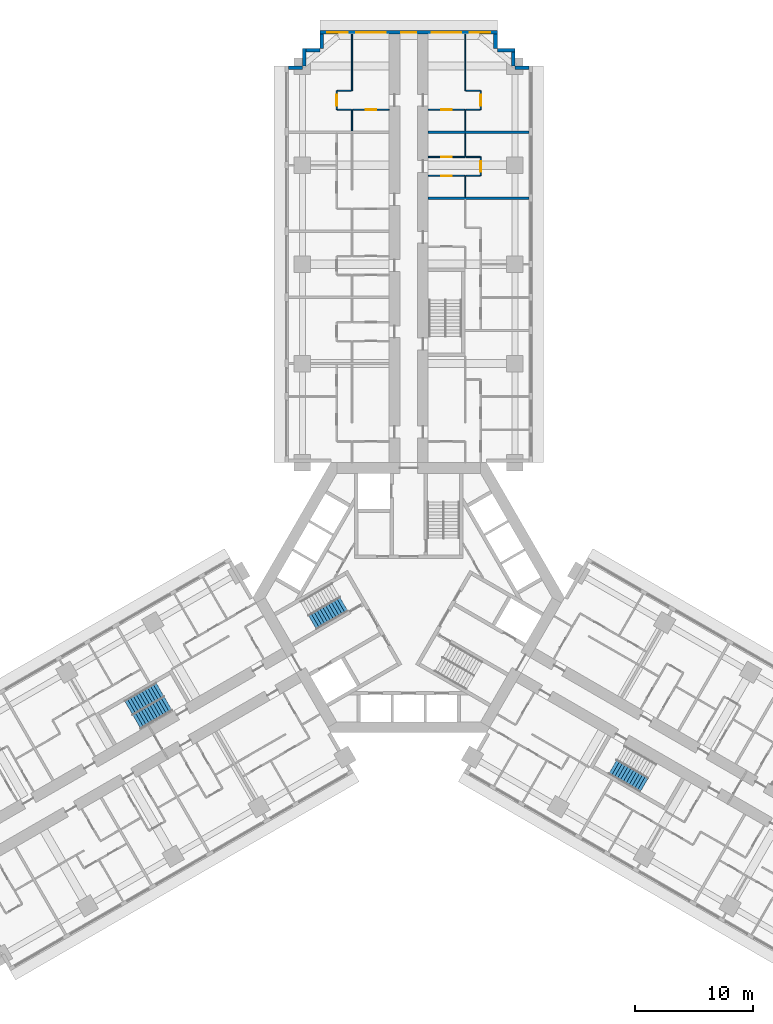
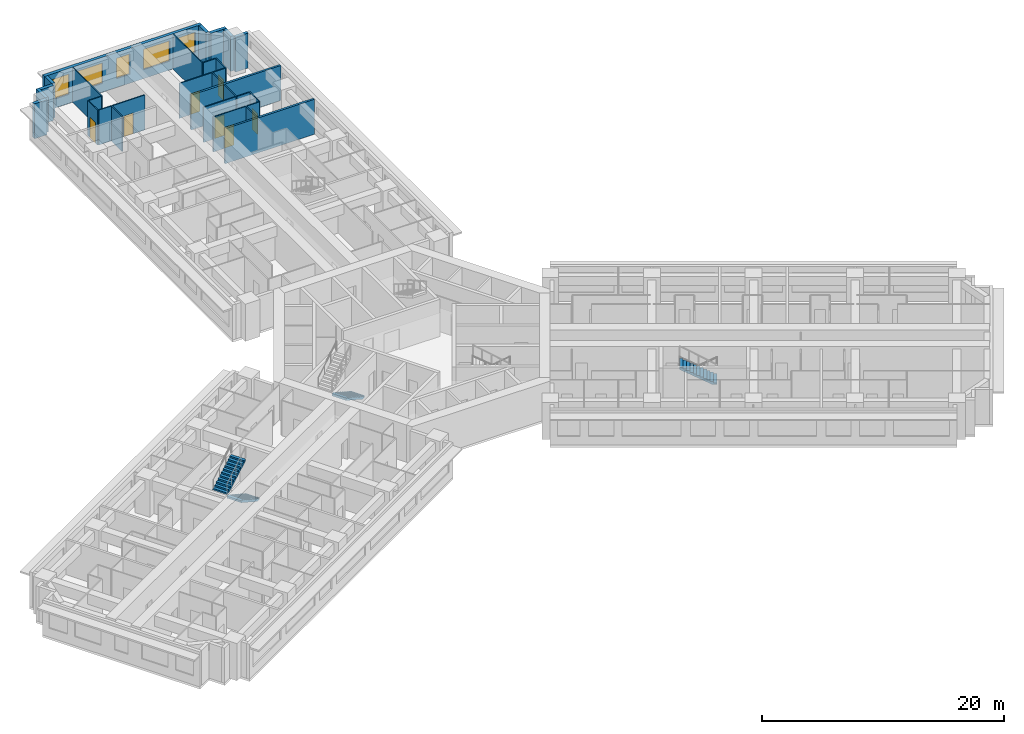
# One storey, part 14 of 16: 30 walls, 7 doors, 5 windows, 4 stair flights, 12 openings, 3 elements without a shape of their own.
"""IFC4 building model written with IfcOpenShell, lengths in metres."""

from ifc_helpers import new_model, si_unit, direction, frame, frame_2d, origin, place, context, subcontext, project, spatial, polyline, rectangle, outline, extrude, material, layer, layer_set, type_object, element, fill, aggregate, save


model = new_model("IFC4")

# Units and contexts
model_context = context("Model", 3, precision=1e-05, world=origin(), true_north=direction((0.0, 1.0)))
body_context = subcontext(model_context, "Body", "Model", "MODEL_VIEW")
ifc_project = project(units=[si_unit("LENGTHUNIT", "METRE"), si_unit("AREAUNIT", "SQUARE_METRE"), si_unit("VOLUMEUNIT", "CUBIC_METRE"), si_unit("PLANEANGLEUNIT", "RADIAN"), si_unit("MASSUNIT", "GRAM", prefix="KILO")], contexts=[model_context])

# Site, building, storey
site_placement = place(None, origin())
site = spatial("IfcSite", under=ifc_project, at=site_placement, CompositionType="ELEMENT")
building_placement = place(site_placement, origin())
building = spatial("IfcBuilding", under=site, at=building_placement, Name="Impinga Residences", CompositionType="ELEMENT")
storey_placement = place(building_placement, frame((0.0, 0.0, 59.75)))
storey = spatial("IfcBuildingStorey", under=building, at=storey_placement, Name="L14", CompositionType="ELEMENT", Elevation=59.75)

# Walls
ifc_material_1 = material(Name="Terracotta rainscreen on blockwork", Category="masonry")
ifc_layer_1 = layer(ifc_material_1, 0.300048828125)
ifc_layer_set_1 = layer_set([ifc_layer_1], Name="EW1 external wall, terracotta rainscreen on blockwork 300")
wall_type_1 = type_object("IfcWallType", Name="EW1 external wall, terracotta rainscreen on blockwork 300", PredefinedType="SOLIDWALL", material=ifc_layer_set_1)
wall_1_placement = place(storey_placement, frame((-10.199951171875, 44.881591796875, 0.0), z_axis=(0.0, 0.0, 1.0), x_axis=(1.0, 0.0, 0.0)))
element("IfcWall", 1, at=wall_1_placement, inside=storey, type_object=wall_type_1, Name="External wall EW1 L14", PredefinedType="SOLIDWALL", context=body_context, shape_type="SweptSolid", body=[
    extrude(rectangle(XDim=1.199951171875, YDim=0.300048828125, at=frame_2d((0.60009765625, 0.0))), origin(), (0.0, 0.0, 1.0), 3.530029296875),
])
wall_2_placement = place(storey_placement, frame((-8.85009765625, 45.03662109375, 0.0), z_axis=(0.0, 0.0, 1.0), x_axis=(0.0, 1.0, 0.0)))
element("IfcWall", 2, at=wall_2_placement, inside=storey, type_object=wall_type_1, Name="External wall EW1 L14", PredefinedType="SOLIDWALL", context=body_context, shape_type="SweptSolid", body=[
    extrude(rectangle(XDim=1.494873046875, YDim=0.300048828125, at=frame_2d((0.74755859375, 0.0))), origin(), (0.0, 0.0, 1.0), 3.530029296875),
])
wall_3_placement = place(storey_placement, frame((-8.699951171875, 46.381591796875, 0.0), z_axis=(0.0, 0.0, 1.0), x_axis=(1.0, 0.0, 0.0)))
element("IfcWall", 3, at=wall_3_placement, inside=storey, type_object=wall_type_1, Name="External wall EW1 L14", PredefinedType="SOLIDWALL", context=body_context, shape_type="SweptSolid", body=[
    extrude(rectangle(XDim=1.199951171875, YDim=0.300048828125, at=frame_2d((0.60009765625, 0.0))), origin(), (0.0, 0.0, 1.0), 3.530029296875),
])
wall_4_placement = place(storey_placement, frame((-7.35009765625, 46.53662109375, 0.0), z_axis=(0.0, 0.0, 1.0), x_axis=(0.0, 1.0, 0.0)))
element("IfcWall", 4, at=wall_4_placement, inside=storey, type_object=wall_type_1, Name="External wall EW1 L14", PredefinedType="SOLIDWALL", context=body_context, shape_type="SweptSolid", body=[
    extrude(rectangle(XDim=1.19482421875, YDim=0.300048828125, at=frame_2d((0.597412109375, 0.0))), origin(), (0.0, 0.0, 1.0), 3.530029296875),
])

# Wall, openings, windows
wall_5_placement = place(storey_placement, frame((-7.5, 47.881591796875, 0.0), z_axis=(0.0, 0.0, 1.0), x_axis=(1.0, 0.0, 0.0)))
wall_5 = element("IfcWall", 5, at=wall_5_placement, inside=storey, type_object=wall_type_1, Name="External wall EW1 L14", PredefinedType="SOLIDWALL", context=body_context, shape_type="SweptSolid", body=[
    extrude(rectangle(XDim=15.0, YDim=0.300048828125, at=frame_2d((7.5, 0.0))), origin(), (0.0, 0.0, 1.0), 3.530029296875),
])
opening_1_placement = place(wall_5_placement, frame((0.60009765625, 0.0, 0.89990234375)))
opening_1 = element("IfcOpeningElement", 6, at=opening_1_placement, cuts=wall_5, Name="Opening W1", PredefinedType="OPENING", context=body_context, shape_type="SweptSolid", body=[
    extrude(rectangle(XDim=1.75, YDim=2.050048828125, at=frame_2d((0.875, 1.02490234375))), frame((0.0, 0.159912109375, 0.0), z_axis=(0.0, -1.0, 0.0), x_axis=(1.0, 0.0, 0.0)), (0.0, 0.0, 1.0), 0.320068359375),
])
opening_2_placement = place(wall_5_placement, frame((3.050048828125, 0.0, 0.89990234375)))
opening_2 = element("IfcOpeningElement", 7, at=opening_2_placement, cuts=wall_5, Name="Opening W2", PredefinedType="OPENING", context=body_context, shape_type="SweptSolid", body=[
    extrude(rectangle(XDim=2.5, YDim=2.050048828125, at=frame_2d((1.25, 1.02490234375))), frame((0.0, 0.159912109375, 0.0), z_axis=(0.0, -1.0, 0.0), x_axis=(1.0, 0.0, 0.0)), (0.0, 0.0, 1.0), 0.320068359375),
])
opening_3_placement = place(wall_5_placement, frame((6.85009765625, 0.0, 0.89990234375)))
opening_3 = element("IfcOpeningElement", 8, at=opening_3_placement, cuts=wall_5, Name="Opening WE1", PredefinedType="OPENING", context=body_context, shape_type="SweptSolid", body=[
    extrude(rectangle(XDim=1.300048828125, YDim=2.050048828125, at=frame_2d((0.64990234375, 1.02490234375))), frame((0.0, 0.159912109375, 0.0), z_axis=(0.0, -1.0, 0.0), x_axis=(1.0, 0.0, 0.0)), (0.0, 0.0, 1.0), 0.320068359375),
])
opening_4_placement = place(wall_5_placement, frame((9.449951171875, 0.0, 0.89990234375)))
opening_4 = element("IfcOpeningElement", 9, at=opening_4_placement, cuts=wall_5, Name="Opening W2", PredefinedType="OPENING", context=body_context, shape_type="SweptSolid", body=[
    extrude(rectangle(XDim=2.5, YDim=2.050048828125, at=frame_2d((1.25, 1.02490234375))), frame((0.0, 0.159912109375, 0.0), z_axis=(0.0, -1.0, 0.0), x_axis=(1.0, 0.0, 0.0)), (0.0, 0.0, 1.0), 0.320068359375),
])
opening_5_placement = place(wall_5_placement, frame((12.64990234375, 0.0, 0.89990234375)))
opening_5 = element("IfcOpeningElement", 10, at=opening_5_placement, cuts=wall_5, Name="Opening W1", PredefinedType="OPENING", context=body_context, shape_type="SweptSolid", body=[
    extrude(rectangle(XDim=1.75, YDim=2.050048828125, at=frame_2d((0.875, 1.02490234375))), frame((0.0, 0.159912109375, 0.0), z_axis=(0.0, -1.0, 0.0), x_axis=(1.0, 0.0, 0.0)), (0.0, 0.0, 1.0), 0.320068359375),
])
ifc_material_2 = material(Name="Aluminium window, clear double glazing", Category="aluminium")
window_type_1 = type_object("IfcWindowType", Name="W1 ribbon window 1750x2050", PartitioningType="SINGLE_PANEL", PredefinedType="WINDOW", material=ifc_material_2)
window_1_placement = place(opening_1_placement, origin())
window_1 = element("IfcWindow", 11, at=window_1_placement, inside=storey, type_object=window_type_1, Name="Window L14", OverallHeight=2.050048828125, OverallWidth=1.75, PartitioningType="SINGLE_PANEL", PredefinedType="WINDOW", context=body_context, shape_type="SweptSolid", body=[
    extrude(rectangle(XDim=1.75, YDim=2.050048828125, at=frame_2d((0.875, 1.02490234375))), frame((0.0, 0.030029296875, 0.0), z_axis=(0.0, -1.0, 0.0), x_axis=(1.0, 0.0, 0.0)), (0.0, 0.0, 1.0), 0.06005859375),
])
fill(opening_1, window_1)
window_2_placement = place(opening_5_placement, origin())
window_2 = element("IfcWindow", 12, at=window_2_placement, inside=storey, type_object=window_type_1, Name="Window L14", OverallHeight=2.050048828125, OverallWidth=1.75, PartitioningType="SINGLE_PANEL", PredefinedType="WINDOW", context=body_context, shape_type="SweptSolid", body=[
    extrude(rectangle(XDim=1.75, YDim=2.050048828125, at=frame_2d((0.875, 1.02490234375))), frame((0.0, 0.030029296875, 0.0), z_axis=(0.0, -1.0, 0.0), x_axis=(1.0, 0.0, 0.0)), (0.0, 0.0, 1.0), 0.06005859375),
])
fill(opening_5, window_2)
window_type_2 = type_object("IfcWindowType", Name="W2 ribbon window 2500x2050", PartitioningType="SINGLE_PANEL", PredefinedType="WINDOW", material=ifc_material_2)
window_3_placement = place(opening_2_placement, origin())
window_3 = element("IfcWindow", 13, at=window_3_placement, inside=storey, type_object=window_type_2, Name="Window L14", OverallHeight=2.050048828125, OverallWidth=2.5, PartitioningType="SINGLE_PANEL", PredefinedType="WINDOW", context=body_context, shape_type="SweptSolid", body=[
    extrude(rectangle(XDim=2.5, YDim=2.050048828125, at=frame_2d((1.25, 1.02490234375))), frame((0.0, 0.030029296875, 0.0), z_axis=(0.0, -1.0, 0.0), x_axis=(1.0, 0.0, 0.0)), (0.0, 0.0, 1.0), 0.06005859375),
])
fill(opening_2, window_3)
window_4_placement = place(opening_4_placement, origin())
window_4 = element("IfcWindow", 14, at=window_4_placement, inside=storey, type_object=window_type_2, Name="Window L14", OverallHeight=2.050048828125, OverallWidth=2.5, PartitioningType="SINGLE_PANEL", PredefinedType="WINDOW", context=body_context, shape_type="SweptSolid", body=[
    extrude(rectangle(XDim=2.5, YDim=2.050048828125, at=frame_2d((1.25, 1.02490234375))), frame((0.0, 0.030029296875, 0.0), z_axis=(0.0, -1.0, 0.0), x_axis=(1.0, 0.0, 0.0)), (0.0, 0.0, 1.0), 0.06005859375),
])
fill(opening_4, window_4)
window_type_3 = type_object("IfcWindowType", Name="WE1 corridor window 1300x2050", PartitioningType="SINGLE_PANEL", PredefinedType="WINDOW", material=ifc_material_2)
window_5_placement = place(opening_3_placement, origin())
window_5 = element("IfcWindow", 15, at=window_5_placement, inside=storey, type_object=window_type_3, Name="Window L14", OverallHeight=2.050048828125, OverallWidth=1.300048828125, PartitioningType="SINGLE_PANEL", PredefinedType="WINDOW", context=body_context, shape_type="SweptSolid", body=[
    extrude(rectangle(XDim=1.300048828125, YDim=2.050048828125, at=frame_2d((0.64990234375, 1.02490234375))), frame((0.0, 0.030029296875, 0.0), z_axis=(0.0, -1.0, 0.0), x_axis=(1.0, 0.0, 0.0)), (0.0, 0.0, 1.0), 0.06005859375),
])
fill(opening_3, window_5)

# Walls
wall_6_placement = place(storey_placement, frame((7.35009765625, 47.7314453125, 0.0), z_axis=(0.0, 0.0, 1.0), x_axis=(0.0, -1.0, 0.0)))
element("IfcWall", 16, at=wall_6_placement, inside=storey, type_object=wall_type_1, Name="External wall EW1 L14", PredefinedType="SOLIDWALL", context=body_context, shape_type="SweptSolid", body=[
    extrude(rectangle(XDim=1.19482421875, YDim=0.300048828125, at=frame_2d((0.597412109375, 0.0))), origin(), (0.0, 0.0, 1.0), 3.530029296875),
])
wall_7_placement = place(storey_placement, frame((7.5, 46.381591796875, 0.0), z_axis=(0.0, 0.0, 1.0), x_axis=(1.0, 0.0, 0.0)))
element("IfcWall", 17, at=wall_7_placement, inside=storey, type_object=wall_type_1, Name="External wall EW1 L14", PredefinedType="SOLIDWALL", context=body_context, shape_type="SweptSolid", body=[
    extrude(rectangle(XDim=1.5, YDim=0.300048828125, at=frame_2d((0.75, 0.0))), origin(), (0.0, 0.0, 1.0), 3.530029296875),
])
wall_8_placement = place(storey_placement, frame((8.85009765625, 46.2314453125, 0.0), z_axis=(0.0, 0.0, 1.0), x_axis=(0.0, -1.0, 0.0)))
element("IfcWall", 18, at=wall_8_placement, inside=storey, type_object=wall_type_1, Name="External wall EW1 L14", PredefinedType="SOLIDWALL", context=body_context, shape_type="SweptSolid", body=[
    extrude(rectangle(XDim=1.199951171875, YDim=0.300048828125, at=frame_2d((0.60009765625, 0.0))), origin(), (0.0, 0.0, 1.0), 3.530029296875),
])
wall_9_placement = place(storey_placement, frame((9.0048828125, 44.881591796875, 0.0), z_axis=(0.0, 0.0, 1.0), x_axis=(1.0, 0.0, 0.0)))
element("IfcWall", 19, at=wall_9_placement, inside=storey, type_object=wall_type_1, Name="External wall EW1 L14", PredefinedType="SOLIDWALL", context=body_context, shape_type="SweptSolid", body=[
    extrude(rectangle(XDim=1.195068359375, YDim=0.300048828125, at=frame_2d((0.59765625, 0.0))), origin(), (0.0, 0.0, 1.0), 3.530029296875),
])
ifc_material_3 = material(Name="Gypsum board on steel studs", Category="steel")
ifc_layer_2 = layer(ifc_material_3, 0.10009765625)
ifc_layer_set_2 = layer_set([ifc_layer_2], Name="Gypsum board on steel studs")
wall_type_2 = type_object("IfcWallType", Name="IP1 partition 100", PredefinedType="PARTITIONING", material=ifc_layer_set_2)
wall_10_placement = place(storey_placement, frame((-4.800048828125, 39.531494140625, 0.0), z_axis=(0.0, 0.0, 1.0), x_axis=(0.0, 1.0, 0.0)))
element("IfcWall", 20, at=wall_10_placement, inside=storey, type_object=wall_type_2, Name="Partition L14-NA5:DIV0", PredefinedType="PARTITIONING", context=body_context, shape_type="SweptSolid", body=[
    extrude(rectangle(XDim=1.800048828125, YDim=0.10009765625, at=frame_2d((0.89990234375, 0.0))), origin(), (0.0, 0.0, 1.0), 3.530029296875),
])
wall_11_placement = place(storey_placement, frame((-4.800048828125, 42.931640625, 0.0), z_axis=(0.0, 0.0, 1.0), x_axis=(0.0, 1.0, 0.0)))
element("IfcWall", 21, at=wall_11_placement, inside=storey, type_object=wall_type_2, Name="Partition L14-NA5:DIV1", PredefinedType="PARTITIONING", context=body_context, shape_type="SweptSolid", body=[
    extrude(rectangle(XDim=4.7998046875, YDim=0.10009765625, at=frame_2d((2.39990234375, 0.0))), origin(), (0.0, 0.0, 1.0), 3.530029296875),
])

# Wall, opening, door
wall_12_placement = place(storey_placement, frame((-6.10009765625, 41.33154296875, 0.0), z_axis=(0.0, 0.0, 1.0), x_axis=(0.0, 1.0, 0.0)))
wall_12 = element("IfcWall", 22, at=wall_12_placement, inside=storey, type_object=wall_type_2, Name="Partition L14-NA5:STRIP", PredefinedType="PARTITIONING", context=body_context, shape_type="SweptSolid", body=[
    extrude(rectangle(XDim=1.60009765625, YDim=0.10009765625, at=frame_2d((0.800048828125, 0.0))), origin(), (0.0, 0.0, 1.0), 3.530029296875),
])
opening_6_placement = place(wall_12_placement, frame((0.35009765625, 0.0, 0.0)))
opening_6 = element("IfcOpeningElement", 23, at=opening_6_placement, cuts=wall_12, Name="Opening D2", PredefinedType="OPENING", context=body_context, shape_type="SweptSolid", body=[
    extrude(rectangle(XDim=0.89990234375, YDim=2.10009765625, at=frame_2d((0.449951171875, 1.050048828125))), frame((0.0, 0.06005859375, 0.0), z_axis=(0.0, -1.0, 0.0), x_axis=(1.0, 0.0, 0.0)), (0.0, 0.0, 1.0), 0.1201171875),
])
ifc_material_4 = material(Name="Timber door set", Category="wood")
door_type = type_object("IfcDoorType", Name="D2 internal door 900x2100", OperationType="SINGLE_SWING_LEFT", PredefinedType="DOOR", material=ifc_material_4)
door_1_placement = place(opening_6_placement, origin())
door_1 = element("IfcDoor", 24, at=door_1_placement, inside=storey, type_object=door_type, Name="Apartment L14-NA5 room door", OperationType="SINGLE_SWING_LEFT", OverallHeight=2.10009765625, OverallWidth=0.89990234375, PredefinedType="DOOR", context=body_context, shape_type="SweptSolid", body=[
    extrude(rectangle(XDim=0.89990234375, YDim=2.10009765625, at=frame_2d((0.449951171875, 1.050048828125))), frame((0.0, 0.02490234375, 0.0), z_axis=(0.0, -1.0, 0.0), x_axis=(1.0, 0.0, 0.0)), (0.0, 0.0, 1.0), 0.050048828125),
])
fill(opening_6, door_1)

# Walls
for number, where, z_axis, x_axis, name in (
    (25, (-4.85009765625, 41.33154296875, 0.0), (0.0, 0.0, 1.0), (-1.0, 0.0, 0.0), "Partition L14-NA5:SE0"),
    (26, (-4.85009765625, 42.931640625, 0.0), (0.0, 0.0, 1.0), (-1.0, 0.0, 0.0), "Partition L14-NA5:SE1"),
):
    element("IfcWall", number, at=place(storey_placement, frame(where, z_axis=z_axis, x_axis=x_axis)), inside=storey, type_object=wall_type_2, Name=name, PredefinedType="PARTITIONING", context=body_context, shape_type="SweptSolid", body=[
        extrude(rectangle(XDim=1.199951171875, YDim=0.10009765625, at=frame_2d((0.60009765625, 0.0))), origin(), (0.0, 0.0, 1.0), 3.530029296875),
    ])

# Wall, opening, door
wall_13_placement = place(storey_placement, frame((-1.64990234375, 41.33154296875, 0.0), z_axis=(0.0, 0.0, 1.0), x_axis=(-1.0, 0.0, 0.0)))
wall_13 = element("IfcWall", 27, at=wall_13_placement, inside=storey, type_object=wall_type_2, Name="Partition L14-NA5:IB1", PredefinedType="PARTITIONING", context=body_context, shape_type="SweptSolid", body=[
    extrude(rectangle(XDim=3.10009765625, YDim=0.10009765625, at=frame_2d((1.550048828125, 0.0))), origin(), (0.0, 0.0, 1.0), 3.530029296875),
])
opening_7_placement = place(wall_13_placement, frame((1.10009765625, 0.0, 0.0)))
opening_7 = element("IfcOpeningElement", 28, at=opening_7_placement, cuts=wall_13, Name="Opening D2", PredefinedType="OPENING", context=body_context, shape_type="SweptSolid", body=[
    extrude(rectangle(XDim=0.89990234375, YDim=2.10009765625, at=frame_2d((0.449951171875, 1.050048828125))), frame((0.0, 0.06005859375, 0.0), z_axis=(0.0, -1.0, 0.0), x_axis=(1.0, 0.0, 0.0)), (0.0, 0.0, 1.0), 0.1201171875),
])
door_2_placement = place(opening_7_placement, origin())
door_2 = element("IfcDoor", 29, at=door_2_placement, inside=storey, type_object=door_type, Name="Apartment L14-NA5 bathroom door", OperationType="SINGLE_SWING_LEFT", OverallHeight=2.10009765625, OverallWidth=0.89990234375, PredefinedType="DOOR", context=body_context, shape_type="SweptSolid", body=[
    extrude(rectangle(XDim=0.89990234375, YDim=2.10009765625, at=frame_2d((0.449951171875, 1.050048828125))), frame((0.0, 0.02490234375, 0.0), z_axis=(0.0, -1.0, 0.0), x_axis=(1.0, 0.0, 0.0)), (0.0, 0.0, 1.0), 0.050048828125),
])
fill(opening_7, door_2)

# Walls
wall_14_placement = place(storey_placement, frame((4.800048828125, 33.931640625, 0.0), z_axis=(0.0, 0.0, 1.0), x_axis=(0.0, 1.0, 0.0)))
element("IfcWall", 30, at=wall_14_placement, inside=storey, type_object=wall_type_2, Name="Partition L14-NF3:DIV0", PredefinedType="PARTITIONING", context=body_context, shape_type="SweptSolid", body=[
    extrude(rectangle(XDim=1.7998046875, YDim=0.10009765625, at=frame_2d((0.89990234375, 0.0))), origin(), (0.0, 0.0, 1.0), 3.530029296875),
])
wall_15_placement = place(storey_placement, frame((4.800048828125, 37.33154296875, 0.0), z_axis=(0.0, 0.0, 1.0), x_axis=(0.0, 1.0, 0.0)))
element("IfcWall", 31, at=wall_15_placement, inside=storey, type_object=wall_type_2, Name="Partition L14-NF3:DIV1", PredefinedType="PARTITIONING", context=body_context, shape_type="SweptSolid", body=[
    extrude(rectangle(XDim=2.0, YDim=0.10009765625, at=frame_2d((1.0, 0.0))), origin(), (0.0, 0.0, 1.0), 3.530029296875),
])

# Wall, opening, door
wall_16_placement = place(storey_placement, frame((6.10009765625, 35.7314453125, 0.0), z_axis=(0.0, 0.0, 1.0), x_axis=(0.0, 1.0, 0.0)))
wall_16 = element("IfcWall", 32, at=wall_16_placement, inside=storey, type_object=wall_type_2, Name="Partition L14-NF3:STRIP", PredefinedType="PARTITIONING", context=body_context, shape_type="SweptSolid", body=[
    extrude(rectangle(XDim=1.60009765625, YDim=0.10009765625, at=frame_2d((0.800048828125, 0.0))), origin(), (0.0, 0.0, 1.0), 3.530029296875),
])
opening_8_placement = place(wall_16_placement, frame((0.35009765625, 0.0, 0.0)))
opening_8 = element("IfcOpeningElement", 33, at=opening_8_placement, cuts=wall_16, Name="Opening D2", PredefinedType="OPENING", context=body_context, shape_type="SweptSolid", body=[
    extrude(rectangle(XDim=0.89990234375, YDim=2.10009765625, at=frame_2d((0.449951171875, 1.050048828125))), frame((0.0, 0.06005859375, 0.0), z_axis=(0.0, -1.0, 0.0), x_axis=(1.0, 0.0, 0.0)), (0.0, 0.0, 1.0), 0.1201171875),
])
door_3_placement = place(opening_8_placement, origin())
door_3 = element("IfcDoor", 34, at=door_3_placement, inside=storey, type_object=door_type, Name="Apartment L14-NF3 room door", OperationType="SINGLE_SWING_LEFT", OverallHeight=2.10009765625, OverallWidth=0.89990234375, PredefinedType="DOOR", context=body_context, shape_type="SweptSolid", body=[
    extrude(rectangle(XDim=0.89990234375, YDim=2.10009765625, at=frame_2d((0.449951171875, 1.050048828125))), frame((0.0, 0.02490234375, 0.0), z_axis=(0.0, -1.0, 0.0), x_axis=(1.0, 0.0, 0.0)), (0.0, 0.0, 1.0), 0.050048828125),
])
fill(opening_8, door_3)

# Walls
for number, where, z_axis, x_axis, name in (
    (35, (4.85009765625, 35.7314453125, 0.0), (0.0, 0.0, 1.0), (1.0, 0.0, 0.0), "Partition L14-NF3:SE0"),
    (36, (4.85009765625, 37.33154296875, 0.0), (0.0, 0.0, 1.0), (1.0, 0.0, 0.0), "Partition L14-NF3:SE1"),
):
    element("IfcWall", number, at=place(storey_placement, frame(where, z_axis=z_axis, x_axis=x_axis)), inside=storey, type_object=wall_type_2, Name=name, PredefinedType="PARTITIONING", context=body_context, shape_type="SweptSolid", body=[
        extrude(rectangle(XDim=1.199951171875, YDim=0.10009765625, at=frame_2d((0.60009765625, 0.0))), origin(), (0.0, 0.0, 1.0), 3.530029296875),
    ])

# Wall, opening, door
wall_17_placement = place(storey_placement, frame((1.64990234375, 35.7314453125, 0.0), z_axis=(0.0, 0.0, 1.0), x_axis=(1.0, 0.0, 0.0)))
wall_17 = element("IfcWall", 37, at=wall_17_placement, inside=storey, type_object=wall_type_2, Name="Partition L14-NF3:IB1", PredefinedType="PARTITIONING", context=body_context, shape_type="SweptSolid", body=[
    extrude(rectangle(XDim=3.10009765625, YDim=0.10009765625, at=frame_2d((1.550048828125, 0.0))), origin(), (0.0, 0.0, 1.0), 3.530029296875),
])
opening_9_placement = place(wall_17_placement, frame((1.10009765625, 0.0, 0.0)))
opening_9 = element("IfcOpeningElement", 38, at=opening_9_placement, cuts=wall_17, Name="Opening D2", PredefinedType="OPENING", context=body_context, shape_type="SweptSolid", body=[
    extrude(rectangle(XDim=0.89990234375, YDim=2.10009765625, at=frame_2d((0.449951171875, 1.050048828125))), frame((0.0, 0.06005859375, 0.0), z_axis=(0.0, -1.0, 0.0), x_axis=(1.0, 0.0, 0.0)), (0.0, 0.0, 1.0), 0.1201171875),
])
door_4_placement = place(opening_9_placement, origin())
door_4 = element("IfcDoor", 39, at=door_4_placement, inside=storey, type_object=door_type, Name="Apartment L14-NF3 bathroom door", OperationType="SINGLE_SWING_LEFT", OverallHeight=2.10009765625, OverallWidth=0.89990234375, PredefinedType="DOOR", context=body_context, shape_type="SweptSolid", body=[
    extrude(rectangle(XDim=0.89990234375, YDim=2.10009765625, at=frame_2d((0.449951171875, 1.050048828125))), frame((0.0, 0.02490234375, 0.0), z_axis=(0.0, -1.0, 0.0), x_axis=(1.0, 0.0, 0.0)), (0.0, 0.0, 1.0), 0.050048828125),
])
fill(opening_9, door_4)

wall_18_placement = place(storey_placement, frame((1.64990234375, 37.33154296875, 0.0), z_axis=(0.0, 0.0, 1.0), x_axis=(1.0, 0.0, 0.0)))
wall_18 = element("IfcWall", 40, at=wall_18_placement, inside=storey, type_object=wall_type_2, Name="Partition L14-NF3:IB2", PredefinedType="PARTITIONING", context=body_context, shape_type="SweptSolid", body=[
    extrude(rectangle(XDim=3.10009765625, YDim=0.10009765625, at=frame_2d((1.550048828125, 0.0))), origin(), (0.0, 0.0, 1.0), 3.530029296875),
])
opening_10_placement = place(wall_18_placement, frame((1.10009765625, 0.0, 0.0)))
opening_10 = element("IfcOpeningElement", 41, at=opening_10_placement, cuts=wall_18, Name="Opening D2", PredefinedType="OPENING", context=body_context, shape_type="SweptSolid", body=[
    extrude(rectangle(XDim=0.89990234375, YDim=2.10009765625, at=frame_2d((0.449951171875, 1.050048828125))), frame((0.0, 0.06005859375, 0.0), z_axis=(0.0, -1.0, 0.0), x_axis=(1.0, 0.0, 0.0)), (0.0, 0.0, 1.0), 0.1201171875),
])
door_5_placement = place(opening_10_placement, origin())
door_5 = element("IfcDoor", 42, at=door_5_placement, inside=storey, type_object=door_type, Name="Apartment L14-NF3 WC door", OperationType="SINGLE_SWING_LEFT", OverallHeight=2.10009765625, OverallWidth=0.89990234375, PredefinedType="DOOR", context=body_context, shape_type="SweptSolid", body=[
    extrude(rectangle(XDim=0.89990234375, YDim=2.10009765625, at=frame_2d((0.449951171875, 1.050048828125))), frame((0.0, 0.02490234375, 0.0), z_axis=(0.0, -1.0, 0.0), x_axis=(1.0, 0.0, 0.0)), (0.0, 0.0, 1.0), 0.050048828125),
])
fill(opening_10, door_5)

# Walls
wall_19_placement = place(storey_placement, frame((4.800048828125, 39.531494140625, 0.0), z_axis=(0.0, 0.0, 1.0), x_axis=(0.0, 1.0, 0.0)))
element("IfcWall", 43, at=wall_19_placement, inside=storey, type_object=wall_type_2, Name="Partition L14-NF4:DIV0", PredefinedType="PARTITIONING", context=body_context, shape_type="SweptSolid", body=[
    extrude(rectangle(XDim=1.800048828125, YDim=0.10009765625, at=frame_2d((0.89990234375, 0.0))), origin(), (0.0, 0.0, 1.0), 3.530029296875),
])
wall_20_placement = place(storey_placement, frame((4.800048828125, 42.931640625, 0.0), z_axis=(0.0, 0.0, 1.0), x_axis=(0.0, 1.0, 0.0)))
element("IfcWall", 44, at=wall_20_placement, inside=storey, type_object=wall_type_2, Name="Partition L14-NF4:DIV1", PredefinedType="PARTITIONING", context=body_context, shape_type="SweptSolid", body=[
    extrude(rectangle(XDim=4.7998046875, YDim=0.10009765625, at=frame_2d((2.39990234375, 0.0))), origin(), (0.0, 0.0, 1.0), 3.530029296875),
])

# Wall, opening, door
wall_21_placement = place(storey_placement, frame((6.10009765625, 41.33154296875, 0.0), z_axis=(0.0, 0.0, 1.0), x_axis=(0.0, 1.0, 0.0)))
wall_21 = element("IfcWall", 45, at=wall_21_placement, inside=storey, type_object=wall_type_2, Name="Partition L14-NF4:STRIP", PredefinedType="PARTITIONING", context=body_context, shape_type="SweptSolid", body=[
    extrude(rectangle(XDim=1.60009765625, YDim=0.10009765625, at=frame_2d((0.800048828125, 0.0))), origin(), (0.0, 0.0, 1.0), 3.530029296875),
])
opening_11_placement = place(wall_21_placement, frame((0.35009765625, 0.0, 0.0)))
opening_11 = element("IfcOpeningElement", 46, at=opening_11_placement, cuts=wall_21, Name="Opening D2", PredefinedType="OPENING", context=body_context, shape_type="SweptSolid", body=[
    extrude(rectangle(XDim=0.89990234375, YDim=2.10009765625, at=frame_2d((0.449951171875, 1.050048828125))), frame((0.0, 0.06005859375, 0.0), z_axis=(0.0, -1.0, 0.0), x_axis=(1.0, 0.0, 0.0)), (0.0, 0.0, 1.0), 0.1201171875),
])
door_6_placement = place(opening_11_placement, origin())
door_6 = element("IfcDoor", 47, at=door_6_placement, inside=storey, type_object=door_type, Name="Apartment L14-NF4 room door", OperationType="SINGLE_SWING_LEFT", OverallHeight=2.10009765625, OverallWidth=0.89990234375, PredefinedType="DOOR", context=body_context, shape_type="SweptSolid", body=[
    extrude(rectangle(XDim=0.89990234375, YDim=2.10009765625, at=frame_2d((0.449951171875, 1.050048828125))), frame((0.0, 0.02490234375, 0.0), z_axis=(0.0, -1.0, 0.0), x_axis=(1.0, 0.0, 0.0)), (0.0, 0.0, 1.0), 0.050048828125),
])
fill(opening_11, door_6)

# Walls
for number, where, z_axis, x_axis, name in (
    (48, (4.85009765625, 41.33154296875, 0.0), (0.0, 0.0, 1.0), (1.0, 0.0, 0.0), "Partition L14-NF4:SE0"),
    (49, (4.85009765625, 42.931640625, 0.0), (0.0, 0.0, 1.0), (1.0, 0.0, 0.0), "Partition L14-NF4:SE1"),
):
    element("IfcWall", number, at=place(storey_placement, frame(where, z_axis=z_axis, x_axis=x_axis)), inside=storey, type_object=wall_type_2, Name=name, PredefinedType="PARTITIONING", context=body_context, shape_type="SweptSolid", body=[
        extrude(rectangle(XDim=1.199951171875, YDim=0.10009765625, at=frame_2d((0.60009765625, 0.0))), origin(), (0.0, 0.0, 1.0), 3.530029296875),
    ])

# Wall, opening, door
wall_22_placement = place(storey_placement, frame((1.64990234375, 41.33154296875, 0.0), z_axis=(0.0, 0.0, 1.0), x_axis=(1.0, 0.0, 0.0)))
wall_22 = element("IfcWall", 50, at=wall_22_placement, inside=storey, type_object=wall_type_2, Name="Partition L14-NF4:IB1", PredefinedType="PARTITIONING", context=body_context, shape_type="SweptSolid", body=[
    extrude(rectangle(XDim=3.10009765625, YDim=0.10009765625, at=frame_2d((1.550048828125, 0.0))), origin(), (0.0, 0.0, 1.0), 3.530029296875),
])
opening_12_placement = place(wall_22_placement, frame((1.10009765625, 0.0, 0.0)))
opening_12 = element("IfcOpeningElement", 51, at=opening_12_placement, cuts=wall_22, Name="Opening D2", PredefinedType="OPENING", context=body_context, shape_type="SweptSolid", body=[
    extrude(rectangle(XDim=0.89990234375, YDim=2.10009765625, at=frame_2d((0.449951171875, 1.050048828125))), frame((0.0, 0.06005859375, 0.0), z_axis=(0.0, -1.0, 0.0), x_axis=(1.0, 0.0, 0.0)), (0.0, 0.0, 1.0), 0.1201171875),
])
door_7_placement = place(opening_12_placement, origin())
door_7 = element("IfcDoor", 52, at=door_7_placement, inside=storey, type_object=door_type, Name="Apartment L14-NF4 bathroom door", OperationType="SINGLE_SWING_LEFT", OverallHeight=2.10009765625, OverallWidth=0.89990234375, PredefinedType="DOOR", context=body_context, shape_type="SweptSolid", body=[
    extrude(rectangle(XDim=0.89990234375, YDim=2.10009765625, at=frame_2d((0.449951171875, 1.050048828125))), frame((0.0, 0.02490234375, 0.0), z_axis=(0.0, -1.0, 0.0), x_axis=(1.0, 0.0, 0.0)), (0.0, 0.0, 1.0), 0.050048828125),
])
fill(opening_12, door_7)

# Walls
ifc_material_5 = material(Name="Concrete blockwork", Category="masonry")
ifc_layer_3 = layer(ifc_material_5, 0.199951171875)
ifc_layer_set_3 = layer_set([ifc_layer_3], Name="PW1 party wall between apartments 200")
wall_type_3 = type_object("IfcWallType", Name="PW1 party wall between apartments 200", PredefinedType="SOLIDWALL", material=ifc_layer_set_3)
for number, where, z_axis, x_axis, name in (
    (53, (1.64990234375, 33.83154296875, 0.0), (0.0, 0.0, 1.0), (1.0, 0.0, 0.0), "Party wall between apartments L14-NF2:PARTY"),
    (54, (1.64990234375, 39.431640625, 0.0), (0.0, 0.0, 1.0), (1.0, 0.0, 0.0), "Party wall between apartments L14-NF3:PARTY"),
):
    element("IfcWall", number, at=place(storey_placement, frame(where, z_axis=z_axis, x_axis=x_axis)), inside=storey, type_object=wall_type_3, Name=name, PredefinedType="SOLIDWALL", context=body_context, shape_type="SweptSolid", body=[
        extrude(rectangle(XDim=8.550048828125, YDim=0.199951171875, at=frame_2d((4.27490234375, 0.0))), origin(), (0.0, 0.0, 1.0), 3.530029296875),
    ])

# Stair, stair flight
ifc_material_6 = material(Name="Concrete C40/50", Category="concrete")
stair_type_1 = type_object("IfcStairType", Name="STR core stair 3750 storey, 24 risers", PredefinedType="HALF_TURN_STAIR", material=ifc_material_6)
stair_1_placement = place(storey_placement, origin())
stair_1 = element("IfcStair", 55, at=stair_1_placement, inside=storey, type_object=stair_type_1, Name="Stair ST2 L14", PredefinedType="HALF_TURN_STAIR")
stair_flight_type = type_object("IfcStairFlightType", Name="SF 12 risers of 156", PredefinedType="STRAIGHT", material=ifc_material_6)
stair_flight_1_placement = place(storey_placement, frame((-5.49365234375, -0.544677734375, 0.0), z_axis=(0.0, 0.0, 1.0), x_axis=(-0.866025403784, -0.5, 0.0)))
stair_flight_1 = element("IfcStairFlight", 56, at=stair_flight_1_placement, type_object=stair_flight_type, Name="ST2 flight 1", NumberOfRisers=12, NumberOfTreads=11, PredefinedType="STRAIGHT", RiserHeight=0.15625, TreadLength=0.28, context=body_context, shape_type="SweptSolid", body=[
    extrude(outline(polyline([(0.0, 0.0), (0.0, 0.15625), (0.280029296875, 0.15625), (0.280029296875, 0.3125), (0.56005859375, 0.3125), (0.56005859375, 0.46875), (0.840087890625, 0.46875), (0.840087890625, 0.625), (1.1201171875, 0.625), (1.1201171875, 0.78125), (1.39990234375, 0.78125), (1.39990234375, 0.9375), (1.679931640625, 0.9375), (1.679931640625, 1.09375), (1.9599609375, 1.09375), (1.9599609375, 1.25), (2.239990234375, 1.25), (2.239990234375, 1.40625), (2.52001953125, 1.40625), (2.52001953125, 1.5625), (2.800048828125, 1.5625), (2.800048828125, 1.71875), (3.080078125, 1.71875), (3.080078125, 1.875), (3.080078125, 1.5126953125), (0.369140625, 0.0), (0.0, 0.0)])), frame((0.0, 0.675048828125, 0.0), z_axis=(0.0, -1.0, 0.0), x_axis=(1.0, 0.0, 0.0)), (0.0, 0.0, 1.0), 1.35009765625),
])
aggregate(stair_1, [stair_flight_1])

# Stair, stair flights
stair_type_2 = type_object("IfcStairType", Name="STR wing stair 3750 storey, 24 risers", PredefinedType="HALF_TURN_STAIR", material=ifc_material_6)
stair_2_placement = place(storey_placement, origin())
stair_2 = element("IfcStair", 57, at=stair_2_placement, inside=storey, type_object=stair_type_2, Name="Stair WS2 L14", PredefinedType="HALF_TURN_STAIR")
stair_flight_2_placement = place(storey_placement, frame((-20.37890625, -8.965576171875, 0.0), z_axis=(0.0, 0.0, 1.0), x_axis=(-0.866025403784, -0.5, 0.0)))
stair_flight_2 = element("IfcStairFlight", 58, at=stair_flight_2_placement, type_object=stair_flight_type, Name="WS2 flight 1", NumberOfRisers=12, NumberOfTreads=11, PredefinedType="STRAIGHT", RiserHeight=0.15625, TreadLength=0.28, context=body_context, shape_type="SweptSolid", body=[
    extrude(outline(polyline([(0.0, 0.0), (0.0, 0.15625), (0.280029296875, 0.15625), (0.280029296875, 0.3125), (0.56005859375, 0.3125), (0.56005859375, 0.46875), (0.840087890625, 0.46875), (0.840087890625, 0.625), (1.1201171875, 0.625), (1.1201171875, 0.78125), (1.39990234375, 0.78125), (1.39990234375, 0.9375), (1.679931640625, 0.9375), (1.679931640625, 1.09375), (1.9599609375, 1.09375), (1.9599609375, 1.25), (2.239990234375, 1.25), (2.239990234375, 1.40625), (2.52001953125, 1.40625), (2.52001953125, 1.5625), (2.800048828125, 1.5625), (2.800048828125, 1.71875), (3.080078125, 1.71875), (3.080078125, 1.875), (3.080078125, 1.5126953125), (0.369140625, 0.0), (0.0, 0.0)])), frame((0.0, 0.675048828125, 0.0), z_axis=(0.0, -1.0, 0.0), x_axis=(1.0, 0.0, 0.0)), (0.0, 0.0, 1.0), 1.35009765625),
])
stair_flight_3_placement = place(storey_placement, frame((-23.721435546875, -9.33642578125, 1.875), z_axis=(0.0, 0.0, 1.0), x_axis=(0.866025403784, 0.5, 0.0)))
stair_flight_3 = element("IfcStairFlight", 59, at=stair_flight_3_placement, type_object=stair_flight_type, Name="WS2 flight 2", NumberOfRisers=12, NumberOfTreads=11, PredefinedType="STRAIGHT", RiserHeight=0.15625, TreadLength=0.28, context=body_context, shape_type="SweptSolid", body=[
    extrude(outline(polyline([(0.0, 0.0), (0.0, 0.15625), (0.280029296875, 0.15625), (0.280029296875, 0.3125), (0.56005859375, 0.3125), (0.56005859375, 0.46875), (0.840087890625, 0.46875), (0.840087890625, 0.625), (1.1201171875, 0.625), (1.1201171875, 0.78125), (1.39990234375, 0.78125), (1.39990234375, 0.9375), (1.679931640625, 0.9375), (1.679931640625, 1.09375), (1.9599609375, 1.09375), (1.9599609375, 1.25), (2.239990234375, 1.25), (2.239990234375, 1.40625), (2.52001953125, 1.40625), (2.52001953125, 1.5625), (2.800048828125, 1.5625), (2.800048828125, 1.71875), (3.080078125, 1.71875), (3.080078125, 1.875), (3.080078125, 1.5126953125), (0.369140625, 0.0), (0.0, 0.0)])), frame((0.0, 0.675048828125, 0.0), z_axis=(0.0, -1.0, 0.0), x_axis=(1.0, 0.0, 0.0)), (0.0, 0.0, 1.0), 1.35009765625),
])
aggregate(stair_2, [stair_flight_2, stair_flight_3])

# Stair, stair flight
stair_3_placement = place(storey_placement, origin())
stair_3 = element("IfcStair", 60, at=stair_3_placement, inside=storey, type_object=stair_type_2, Name="Stair WS3 L14", PredefinedType="HALF_TURN_STAIR")
stair_flight_4_placement = place(storey_placement, frame((19.9462890625, -15.875, 1.875), z_axis=(0.0, 0.0, 1.0), x_axis=(-0.866025403784, 0.5, 0.0)))
stair_flight_4 = element("IfcStairFlight", 61, at=stair_flight_4_placement, type_object=stair_flight_type, Name="WS3 flight 2", NumberOfRisers=12, NumberOfTreads=11, PredefinedType="STRAIGHT", RiserHeight=0.15625, TreadLength=0.28, context=body_context, shape_type="SweptSolid", body=[
    extrude(outline(polyline([(0.0, 0.0), (0.0, 0.15625), (0.280029296875, 0.15625), (0.280029296875, 0.3125), (0.56005859375, 0.3125), (0.56005859375, 0.46875), (0.840087890625, 0.46875), (0.840087890625, 0.625), (1.1201171875, 0.625), (1.1201171875, 0.78125), (1.39990234375, 0.78125), (1.39990234375, 0.9375), (1.679931640625, 0.9375), (1.679931640625, 1.09375), (1.9599609375, 1.09375), (1.9599609375, 1.25), (2.239990234375, 1.25), (2.239990234375, 1.40625), (2.52001953125, 1.40625), (2.52001953125, 1.5625), (2.800048828125, 1.5625), (2.800048828125, 1.71875), (3.080078125, 1.71875), (3.080078125, 1.875), (3.080078125, 1.5126953125), (0.369140625, 0.0), (0.0, 0.0)])), frame((0.0, 0.675048828125, 0.0), z_axis=(0.0, -1.0, 0.0), x_axis=(1.0, 0.0, 0.0)), (0.0, 0.0, 1.0), 1.35009765625),
])
aggregate(stair_3, [stair_flight_4])

save(model, "model.ifc")
